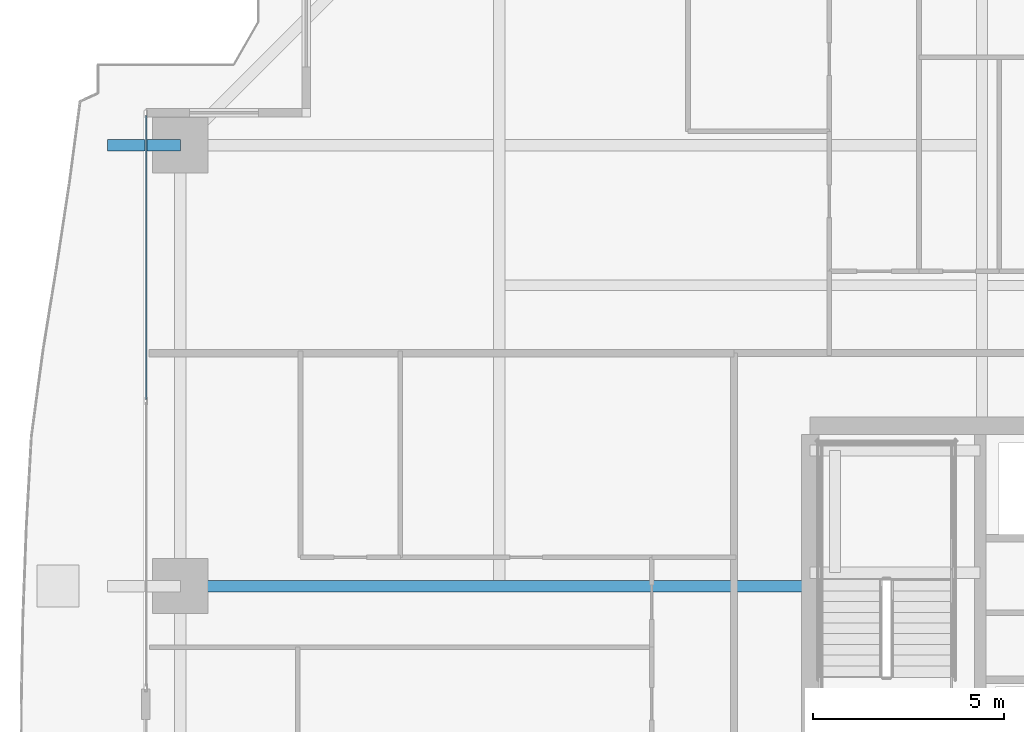
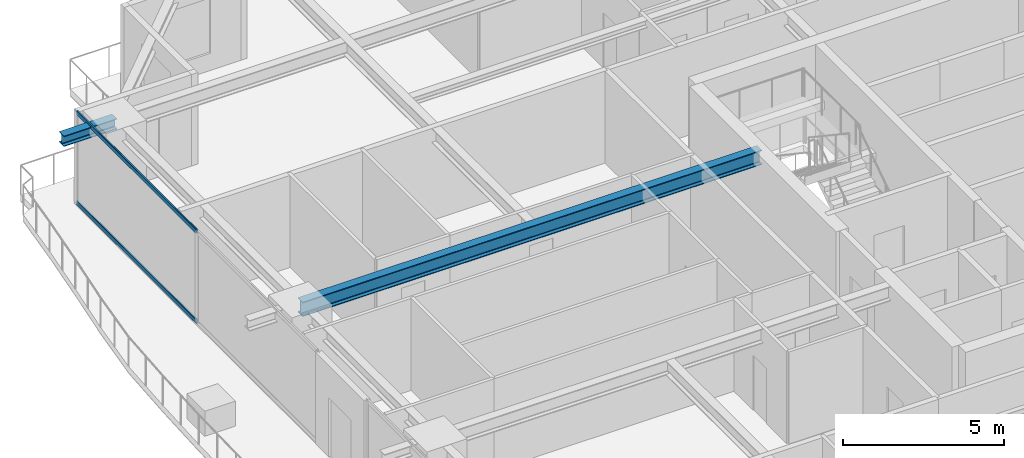
# One storey, part 17 of 41: 2 beams, 2 members, 1 element without a shape of its own.
"""IFC4 building model written with IfcOpenShell, lengths in metres."""

from ifc_helpers import new_model, si_unit, direction, frame, origin, origin_2d, place, context, subcontext, project, spatial, hollow_rectangle, i_section, extrude, source, transform, mapped, material, layer, layer_set, material_profile, profile_set, type_object, element, aggregate, save


model = new_model("IFC4")

# Units and contexts
model_context = context("Model", 3, precision=1e-05, world=origin(), true_north=direction((0.0, 1.0)))
body_context = subcontext(model_context, "Body", "Model", "MODEL_VIEW")
ifc_project = project(units=[si_unit("LENGTHUNIT", "METRE"), si_unit("AREAUNIT", "SQUARE_METRE"), si_unit("VOLUMEUNIT", "CUBIC_METRE"), si_unit("PLANEANGLEUNIT", "RADIAN"), si_unit("MASSUNIT", "GRAM", prefix="KILO")], contexts=[model_context])

# Site, building, storey
site_placement = place(None, origin())
site = spatial("IfcSite", under=ifc_project, at=site_placement, CompositionType="ELEMENT")
building_placement = place(site_placement, origin())
building = spatial("IfcBuilding", under=site, at=building_placement, Name="Serunith Strait Residences", CompositionType="ELEMENT")
storey_placement = place(building_placement, frame((0.0, 0.0, 75.449951171875)))
storey = spatial("IfcBuildingStorey", under=building, at=storey_placement, Name="L18", CompositionType="ELEMENT", Elevation=75.449951171875)

# Beams
ifc_material_1 = material(Name="Steel S355J2", Category="steel")
ifc_material_profile_1 = material_profile(ifc_material_1, i_section(OverallWidth=0.300048828125, OverallDepth=0.550048828125, WebThickness=0.014892578125, FlangeThickness=0.029052734375, FilletRadius=0.027099609375, at=origin_2d()), Name="HEB 550")
ifc_profile_set_1 = profile_set([ifc_material_profile_1], Name="Steel S355J2")
beam_type_1 = type_object("IfcBeamType", Name="BM-HEB550", PredefinedType="BEAM", material=ifc_profile_set_1)
shared_shape_1 = source(origin(), body_context, "Body", "SweptSolid", [
    extrude(i_section(OverallWidth=0.300048828125, OverallDepth=0.550048828125, WebThickness=0.014892578125, FlangeThickness=0.029052734375, FilletRadius=0.027099609375, at=origin_2d()), origin(), (0.0, 0.0, 1.0), 16.5),
])
beam_1_placement = place(storey_placement, frame((23.39990234375, 29.39990234375, 3.212158203125), z_axis=(-1.0, 0.0, 0.0), x_axis=(0.0, -1.0, 0.0)))
element("IfcBeam", 1, at=beam_1_placement, inside=storey, type_object=beam_type_1, Name="L18 Primary Floor Girder TC-W3", PredefinedType="BEAM", context=body_context, shape_type="MappedRepresentation", body=[
    mapped(shared_shape_1, transform((0.0, 0.0, 0.0), scale=1.0)),
])
ifc_material_profile_2 = material_profile(ifc_material_1, i_section(OverallWidth=0.300048828125, OverallDepth=0.39990234375, WebThickness=0.013427734375, FlangeThickness=0.02392578125, FilletRadius=0.027099609375, at=origin_2d()), Name="HEB 400")
ifc_profile_set_2 = profile_set([ifc_material_profile_2], Name="Steel S355J2")
beam_type_2 = type_object("IfcBeamType", Name="BM-HEB400", PredefinedType="BEAM", material=ifc_profile_set_2)
shared_shape_2 = source(origin(), body_context, "Body", "SweptSolid", [
    extrude(i_section(OverallWidth=0.300048828125, OverallDepth=0.39990234375, WebThickness=0.013427734375, FlangeThickness=0.02392578125, FilletRadius=0.027099609375, at=origin_2d()), origin(), (0.0, 0.0, 1.0), 1.909912109375),
])
beam_2_placement = place(storey_placement, frame((6.89990234375, 40.949951171875, 3.257080078125), z_axis=(-1.0, 0.0, 0.0), x_axis=(0.0, -1.0, 0.0)))
element("IfcBeam", 2, at=beam_2_placement, inside=storey, type_object=beam_type_2, Name="L19 Cantilevered Balcony Rib TC-W4", PredefinedType="BEAM", context=body_context, shape_type="MappedRepresentation", body=[
    mapped(shared_shape_2, transform((0.0, 0.0, 0.0), scale=1.0)),
])

# Curtain wall, members
ifc_material_2 = material(Name="Pale-Champagne Anodised Aluminium", Category="aluminium")
ifc_layer = layer(ifc_material_2, 0.199951171875, Name="Pale-Champagne Anodised Aluminium")
ifc_layer_set = layer_set([ifc_layer], Name="Pale-Champagne Anodised Aluminium")
curtain_wall_type = type_object("IfcCurtainWallType", Name="CW-SYS1", PredefinedType="NOTDEFINED", material=ifc_layer_set)
curtain_wall_placement = place(storey_placement, origin())
curtain_wall = element("IfcCurtainWall", 3, at=curtain_wall_placement, inside=storey, type_object=curtain_wall_type, Name="L18 W Unitised Fritted Curtain Wall", PredefinedType="NOTDEFINED")
ifc_material_profile_3 = material_profile(ifc_material_2, hollow_rectangle(XDim=0.06005859375, YDim=0.159912109375, WallThickness=0.00341796875, InnerFilletRadius=0.00537109375, OuterFilletRadius=0.0087890625, at=origin_2d()), Name="ALU 160x60x3.5")
ifc_profile_set_3 = profile_set([ifc_material_profile_3], Name="Pale-Champagne Anodised Aluminium")
member_type = type_object("IfcMemberType", Name="CW-SYS1-TRAN", PredefinedType="USERDEFINED", material=ifc_profile_set_3)
shared_shape_3 = source(origin(), body_context, "Body", "SweptSolid", [
    extrude(hollow_rectangle(XDim=0.06005859375, YDim=0.159912109375, WallThickness=0.00341796875, InnerFilletRadius=0.00537109375, OuterFilletRadius=0.0087890625, at=origin_2d()), origin(), (0.0, 0.0, 1.0), 7.445068359375),
])
member_1_placement = place(storey_placement, frame((6.0, 41.72998046875, 0.030029296875), z_axis=(0.0, -1.0, 0.0), x_axis=(1.0, 0.0, 0.0)))
member_1 = element("IfcMember", 4, at=member_1_placement, type_object=member_type, Name="CW-1 transom 1.1", ObjectType="TRANSOM", PredefinedType="USERDEFINED", context=body_context, shape_type="MappedRepresentation", body=[
    mapped(shared_shape_3, transform((0.0, 0.0, 0.0), scale=1.0)),
])
member_2_placement = place(storey_placement, frame((6.0, 41.72998046875, 3.445068359375), z_axis=(0.0, -1.0, 0.0), x_axis=(1.0, 0.0, 0.0)))
member_2 = element("IfcMember", 5, at=member_2_placement, type_object=member_type, Name="CW-1 transom 1.2", ObjectType="TRANSOM", PredefinedType="USERDEFINED", context=body_context, shape_type="MappedRepresentation", body=[
    mapped(shared_shape_3, transform((0.0, 0.0, 0.0), scale=1.0)),
])
aggregate(curtain_wall, [member_1, member_2])

save(model, "model.ifc")
